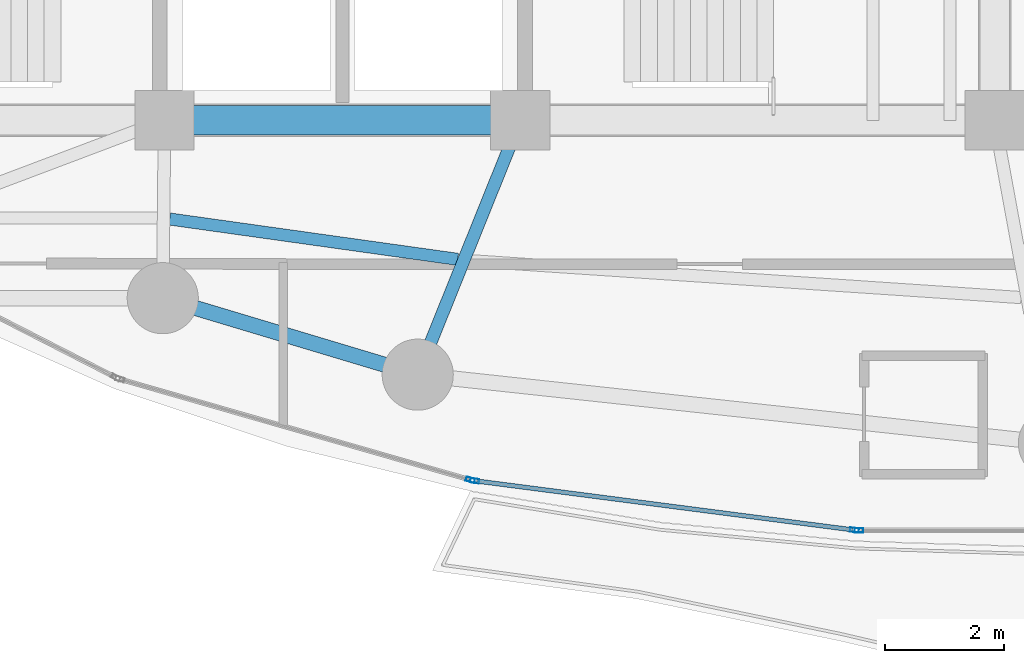
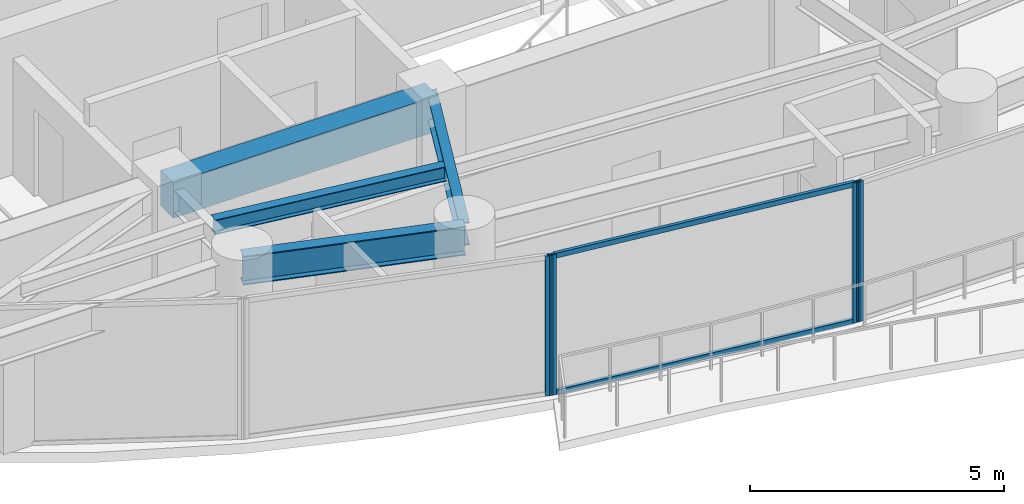
# One storey, part 5 of 28: 6 members, 4 beams, 3 elements without a shape of their own.
"""IFC4 building model written with IfcOpenShell, lengths in metres."""

from ifc_helpers import new_model, si_unit, direction, frame, origin, origin_2d, place, context, subcontext, project, spatial, rectangle, hollow_rectangle, i_section, extrude, material, layer, layer_set, material_profile, profile_set, type_object, element, aggregate, save


model = new_model("IFC4")

# Units and contexts
model_context = context("Model", 3, precision=1e-05, world=origin(), true_north=direction((0.0, 1.0)))
body_context = subcontext(model_context, "Body", "Model", "MODEL_VIEW")
ifc_project = project(units=[si_unit("LENGTHUNIT", "METRE"), si_unit("AREAUNIT", "SQUARE_METRE"), si_unit("VOLUMEUNIT", "CUBIC_METRE"), si_unit("PLANEANGLEUNIT", "RADIAN"), si_unit("MASSUNIT", "GRAM", prefix="KILO")], contexts=[model_context])

# Site, building, storey
site_placement = place(None, origin())
site = spatial("IfcSite", under=ifc_project, at=site_placement, CompositionType="ELEMENT")
building_placement = place(site_placement, origin())
building = spatial("IfcBuilding", under=site, at=building_placement, Name="Kazevale Care Tower and Concert Hall", CompositionType="ELEMENT")
storey_placement = place(building_placement, frame((0.0, 0.0, 109.800048828125)))
storey = spatial("IfcBuildingStorey", under=building, at=storey_placement, Name="L28", CompositionType="ELEMENT", Elevation=109.800048828125)

# Curtain wall, member
ifc_material_1 = material(Name="Aluminium 6063-T6 and Low-E Glass", Category="aluminium")
ifc_layer = layer(ifc_material_1, 0.179931640625)
ifc_layer_set = layer_set([ifc_layer], Name="Aluminium 6063-T6 and Low-E Glass")
curtain_wall_type = type_object("IfcCurtainWallType", Name="Sheltered Concave Balcony Curtain Wall CW-5", PredefinedType="NOTDEFINED", material=ifc_layer_set)
curtain_wall_1_placement = place(storey_placement, origin())
curtain_wall_1 = element("IfcCurtainWall", 1, at=curtain_wall_1_placement, inside=storey, type_object=curtain_wall_type, Name="cw:L28:f06", PredefinedType="NOTDEFINED")
ifc_material_2 = material(Name="Aluminium 6063-T6", Category="aluminium")
ifc_material_profile_1 = material_profile(ifc_material_2, hollow_rectangle(XDim=0.074951171875, YDim=0.14990234375, WallThickness=0.00390625, at=origin_2d()), Name="ALU75x150x4")
ifc_profile_set_1 = profile_set([ifc_material_profile_1], Name="Aluminium 6063-T6")
member_type_1 = type_object("IfcMemberType", Name="CW-5 Mullion ALU75x150x4", PredefinedType="MULLION", material=ifc_profile_set_1)
member_1_placement = place(storey_placement, frame((41.71240234375, 16.68408203125, 0.0), z_axis=(0.0, 0.0, 1.0), x_axis=(0.0, -1.0, 0.0)))
member_1 = element("IfcMember", 2, at=member_1_placement, type_object=member_type_1, Name="CW-5 mullion 2", PredefinedType="MULLION", context=body_context, shape_type="SweptSolid", body=[
    extrude(hollow_rectangle(XDim=0.074951171875, YDim=0.14990234375, WallThickness=0.00390625, at=origin_2d()), origin(), (0.0, 0.0, 1.0), 3.35986328125),
])
aggregate(curtain_wall_1, [member_1])

# Curtain wall, members
curtain_wall_2_placement = place(storey_placement, origin())
curtain_wall_2 = element("IfcCurtainWall", 3, at=curtain_wall_2_placement, inside=storey, type_object=curtain_wall_type, Name="cw:L28:f07", PredefinedType="NOTDEFINED")
member_2_placement = place(storey_placement, frame((41.6376953125, 16.688720703125, 0.0), z_axis=(0.0, 0.0, 1.0), x_axis=(-0.12868500567, -0.991685519364, 0.0)))
member_2 = element("IfcMember", 4, at=member_2_placement, type_object=member_type_1, Name="CW-5 mullion 1", PredefinedType="MULLION", context=body_context, shape_type="SweptSolid", body=[
    extrude(hollow_rectangle(XDim=0.074951171875, YDim=0.14990234375, WallThickness=0.00390625, at=origin_2d()), origin(), (0.0, 0.0, 1.0), 3.35986328125),
])
member_3_placement = place(storey_placement, frame((35.231201171875, 17.520263671875, 0.0), z_axis=(0.0, 0.0, 1.0), x_axis=(-0.12868500567, -0.991685519364, 0.0)))
member_3 = element("IfcMember", 5, at=member_3_placement, type_object=member_type_1, Name="CW-5 mullion 2", PredefinedType="MULLION", context=body_context, shape_type="SweptSolid", body=[
    extrude(hollow_rectangle(XDim=0.074951171875, YDim=0.14990234375, WallThickness=0.00390625, at=origin_2d()), origin(), (0.0, 0.0, 1.0), 3.35986328125),
])

# Curtain wall, member
curtain_wall_3_placement = place(storey_placement, origin())
curtain_wall_3 = element("IfcCurtainWall", 6, at=curtain_wall_3_placement, inside=storey, type_object=curtain_wall_type, Name="cw:L28:f08", PredefinedType="NOTDEFINED")
member_4_placement = place(storey_placement, frame((35.157958984375, 17.535400390625, 0.0), z_axis=(0.0, 0.0, 1.0), x_axis=(-0.276290733172, -0.961074102639, 0.0)))
member_4 = element("IfcMember", 7, at=member_4_placement, type_object=member_type_1, Name="CW-5 mullion 1", PredefinedType="MULLION", context=body_context, shape_type="SweptSolid", body=[
    extrude(hollow_rectangle(XDim=0.074951171875, YDim=0.14990234375, WallThickness=0.00390625, at=origin_2d()), origin(), (0.0, 0.0, 1.0), 3.35986328125),
])
aggregate(curtain_wall_3, [member_4])

# Member
ifc_material_profile_2 = material_profile(ifc_material_2, hollow_rectangle(XDim=0.074951171875, YDim=0.1201171875, WallThickness=0.00390625, at=origin_2d()), Name="ALU75x120x4")
ifc_profile_set_2 = profile_set([ifc_material_profile_2], Name="Aluminium 6063-T6")
member_type_2 = type_object("IfcMemberType", Name="CW-5 Transom ALU75x120x4", PredefinedType="USERDEFINED", material=ifc_profile_set_2)
member_5_placement = place(storey_placement, frame((41.6005859375, 16.693603515625, 0.037353515625), z_axis=(-0.991683991743, 0.12869677743, 0.0), x_axis=(-0.12869677743, -0.991683991743, 0.0)))
member_5 = element("IfcMember", 8, at=member_5_placement, type_object=member_type_2, Name="CW-5 transom 1.1", ObjectType="TRANSOM", PredefinedType="USERDEFINED", context=body_context, shape_type="SweptSolid", body=[
    extrude(hollow_rectangle(XDim=0.074951171875, YDim=0.1201171875, WallThickness=0.00390625, at=origin_2d()), origin(), (0.0, 0.0, 1.0), 6.385498046875),
])

member_6_placement = place(storey_placement, frame((41.6005859375, 16.693603515625, 3.322509765625), z_axis=(-0.991683991743, 0.12869677743, 0.0), x_axis=(-0.12869677743, -0.991683991743, 0.0)))
member_6 = element("IfcMember", 9, at=member_6_placement, type_object=member_type_2, Name="CW-5 transom 1.2", ObjectType="TRANSOM", PredefinedType="USERDEFINED", context=body_context, shape_type="SweptSolid", body=[
    extrude(hollow_rectangle(XDim=0.074951171875, YDim=0.1201171875, WallThickness=0.00390625, at=origin_2d()), origin(), (0.0, 0.0, 1.0), 6.385498046875),
])

aggregate(curtain_wall_2, [member_2, member_3, member_5, member_6])

# Beams
ifc_material_3 = material(Name="Concrete C60", Category="concrete")
ifc_material_profile_3 = material_profile(ifc_material_3, rectangle(XDim=0.5, YDim=0.85009765625, at=origin_2d()), Name="RC-B500x850")
ifc_profile_set_3 = profile_set([ifc_material_profile_3], Name="Concrete C60")
beam_type_1 = type_object("IfcBeamType", Name="Core Coupling Beam RC500x850", PredefinedType="LINTEL", material=ifc_profile_set_3)
beam_1_placement = place(storey_placement, frame((30.0, 23.60009765625, 2.93505859375), z_axis=(1.0, 0.0, 0.0), x_axis=(0.0, 1.0, 0.0)))
element("IfcBeam", 10, at=beam_1_placement, inside=storey, type_object=beam_type_1, Name="beam:L28:coretie:2", PredefinedType="LINTEL", context=body_context, shape_type="SweptSolid", body=[
    extrude(rectangle(XDim=0.5, YDim=0.85009765625, at=origin_2d()), origin(), (0.0, 0.0, 1.0), 6.0),
])
ifc_material_4 = material(Name="Steel ASTM A572 Gr 50", Category="steel")
ifc_material_profile_4 = material_profile(ifc_material_4, i_section(OverallWidth=0.2119140625, OverallDepth=0.5439453125, WebThickness=0.01318359375, FlangeThickness=0.021240234375, at=origin_2d()), Name="W530x123")
ifc_profile_set_4 = profile_set([ifc_material_profile_4], Name="Steel ASTM A572 Gr 50")
beam_type_2 = type_object("IfcBeamType", Name="Radial Floor Girder W530x123", PredefinedType="BEAM", material=ifc_profile_set_4)
beam_2_placement = place(storey_placement, frame((36.0, 23.60009765625, 3.087890625), z_axis=(-0.373991766452, -0.927432023722, 0.0), x_axis=(0.927432023722, -0.373991766452, 0.0)))
element("IfcBeam", 11, at=beam_2_placement, inside=storey, type_object=beam_type_2, Name="beam:L28:rad:12", PredefinedType="BEAM", context=body_context, shape_type="SweptSolid", body=[
    extrude(i_section(OverallWidth=0.2119140625, OverallDepth=0.5439453125, WebThickness=0.01318359375, FlangeThickness=0.021240234375, at=origin_2d()), origin(), (0.0, 0.0, 1.0), 4.625732421875),
])
ifc_material_profile_5 = material_profile(ifc_material_4, i_section(OverallWidth=0.205078125, OverallDepth=0.35400390625, WebThickness=0.009521484375, FlangeThickness=0.016845703125, at=origin_2d()), Name="W360x79")
ifc_profile_set_5 = profile_set([ifc_material_profile_5], Name="Steel ASTM A572 Gr 50")
beam_type_3 = type_object("IfcBeamType", Name="Secondary Floor Joist W360x79", PredefinedType="JOIST", material=ifc_profile_set_5)
beam_3_placement = place(storey_placement, frame((30.0869140625, 21.93505859375, 3.182861328125), z_axis=(0.990340789942, -0.138654678164, 0.0), x_axis=(0.138654678164, 0.990340789942, 0.0)))
element("IfcBeam", 12, at=beam_3_placement, inside=storey, type_object=beam_type_3, Name="beam:L28:joist:11", PredefinedType="JOIST", context=body_context, shape_type="SweptSolid", body=[
    extrude(i_section(OverallWidth=0.205078125, OverallDepth=0.35400390625, WebThickness=0.009521484375, FlangeThickness=0.016845703125, at=origin_2d()), origin(), (0.0, 0.0, 1.0), 4.905517578125),
])
ifc_material_profile_6 = material_profile(ifc_material_4, i_section(OverallWidth=0.256103515625, OverallDepth=0.693115234375, WebThickness=0.014404296875, FlangeThickness=0.023681640625, at=origin_2d()), Name="W690x170")
ifc_profile_set_6 = profile_set([ifc_material_profile_6], Name="Steel ASTM A572 Gr 50")
beam_type_4 = type_object("IfcBeamType", Name="Waist Ring Beam W690x170", PredefinedType="BEAM", material=ifc_profile_set_6)
beam_4_placement = place(storey_placement, frame((29.969970703125, 20.60009765625, 3.013427734375), z_axis=(0.957824788464, -0.287352874709, 0.0), x_axis=(0.287352874709, 0.957824788464, 0.0)))
element("IfcBeam", 13, at=beam_4_placement, inside=storey, type_object=beam_type_4, Name="beam:L28:ring:11", PredefinedType="BEAM", context=body_context, shape_type="SweptSolid", body=[
    extrude(i_section(OverallWidth=0.256103515625, OverallDepth=0.693115234375, WebThickness=0.014404296875, FlangeThickness=0.023681640625, at=origin_2d()), origin(), (0.0, 0.0, 1.0), 4.489501953125),
])

save(model, "model.ifc")
